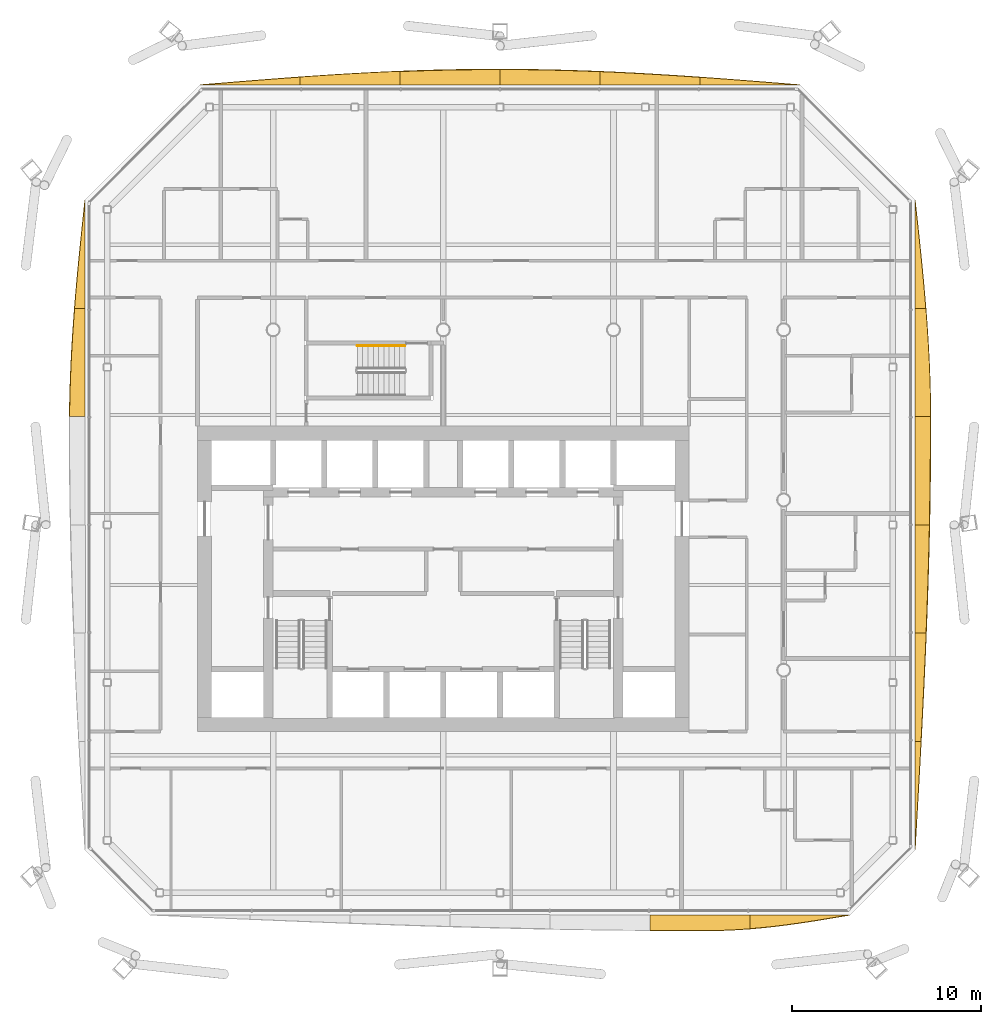
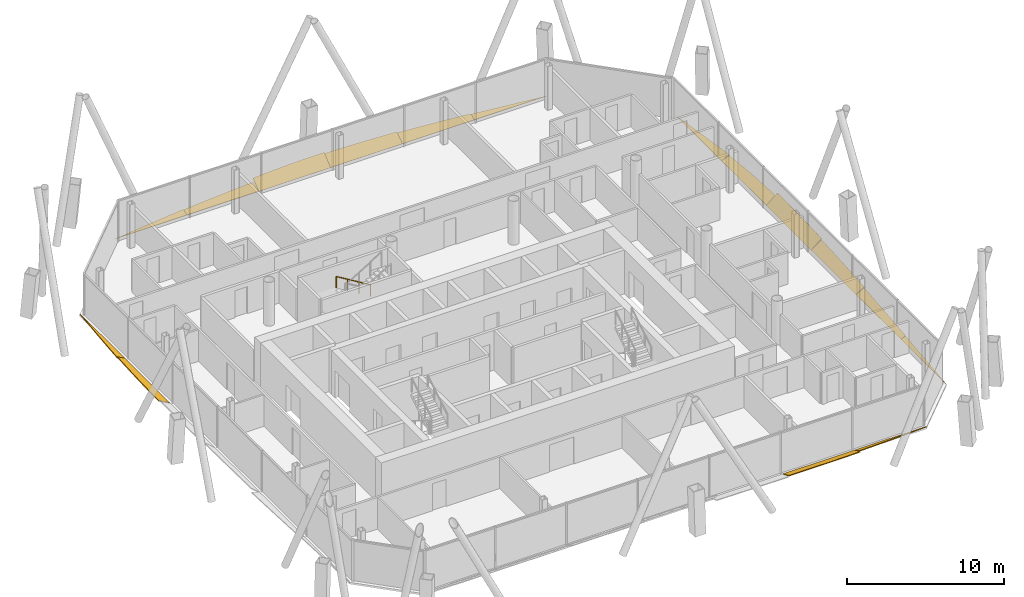
# One storey, part 20 of 20: 16 shading devices, 1 railing.
"""IFC4 building model written with IfcOpenShell, lengths in metres."""

from ifc_helpers import new_model, si_unit, direction, frame, origin, origin_2d, place, context, subcontext, project, spatial, polyline, circle, outline, extrude, material, layer, layer_set, type_object, element, save


model = new_model("IFC4")

# Units and contexts
model_context = context("Model", 3, precision=1e-05, world=origin(), true_north=direction((0.0, 1.0)))
body_context = subcontext(model_context, "Body", "Model", "MODEL_VIEW")
ifc_project = project(units=[si_unit("LENGTHUNIT", "METRE"), si_unit("AREAUNIT", "SQUARE_METRE"), si_unit("VOLUMEUNIT", "CUBIC_METRE"), si_unit("PLANEANGLEUNIT", "RADIAN"), si_unit("MASSUNIT", "GRAM", prefix="KILO")], contexts=[model_context])

# Site, building, storey
site_placement = place(None, origin())
site = spatial("IfcSite", under=ifc_project, at=site_placement, CompositionType="ELEMENT")
building_placement = place(site_placement, origin())
building = spatial("IfcBuilding", under=site, at=building_placement, Name="Tskaro Facet Tower", CompositionType="ELEMENT")
storey_placement = place(building_placement, frame((0.0, 0.0, 152.10009765625)))
storey = spatial("IfcBuildingStorey", under=building, at=storey_placement, Name="L37", CompositionType="ELEMENT", Elevation=152.10009765625)

# Shading devices
ifc_material_1 = material(Name="Bronze anodised aluminium 6063-T6", Category="aluminium")
ifc_layer = layer(ifc_material_1, 0.06005859375, Name="Bronze anodised aluminium 6063-T6")
ifc_layer_set = layer_set([ifc_layer], Name="Bronze anodised aluminium 6063-T6")
shading_device_type = type_object("IfcShadingDeviceType", Name="Bronze sun blade (FN1)", PredefinedType="USERDEFINED", material=ifc_layer_set)
shading_device_1_placement = place(storey_placement, frame((10.9267578125, -21.94873046875, 0.05419921875), z_axis=(1.0308181e-05, 0.422723333152, 0.906258783959), x_axis=(0.999999999947, -4.357508e-06, -9.341879e-06)))
element("IfcShadingDevice", 1, at=shading_device_1_placement, inside=storey, type_object=shading_device_type, Name="Fin blade south 6", ObjectType="FIN", PredefinedType="USERDEFINED", context=body_context, shape_type="SweptSolid", body=[
    extrude(outline(polyline([(0.0, 0.0), (5.284667968469229, 0.0), (5.284667968195512, -0.8079248135615501), (4.624023437648936, -0.857732450693948), (3.9636230465402704, -0.8916995609093232), (3.3029785149894724, -0.9089559725723317), (2.948974609209955, -0.9113600796008379), (2.6423339842262465, -0.9113600796008379), (1.9819335939424185, -0.9102686533795544), (1.3212890622758435, -0.9078645463510484), (0.6606445319791983, -0.904590267687198), (-1.3559388213438565e-09, -0.9001065121548882), (0.0, 0.0)])), origin(), (0.0, 0.0, -1.0), 0.06005859375),
])
shading_device_2_placement = place(storey_placement, frame((16.21142578125, -21.944091796875, 0.0517578125), z_axis=(-2.5323878e-05, 0.500242945986, 0.86588509304), x_axis=(0.999999999679, 1.2668092e-05, 2.1927569e-05)))
element("IfcShadingDevice", 2, at=shading_device_2_placement, inside=storey, type_object=shading_device_type, Name="Fin blade south 7", ObjectType="FIN", PredefinedType="USERDEFINED", context=body_context, shape_type="SweptSolid", body=[
    extrude(outline(polyline([(0.0, 0.0), (5.284667967055475, -8.952575769661419e-21), (4.624023440431198, -0.1295180374775448), (3.9633789064288263, -0.25661211537905815), (3.3029785120948008, -0.37889113565169585), (2.6423339848614136, -0.49429752759599876), (1.9816894526220803, -0.6002852020104114), (1.3210449201339591, -0.6955529110045812), (0.660644529090082, -0.7775874269001399), (-3.1878278626346816e-09, -0.8455102972624567), (0.0, 0.0)])), origin(), (0.0, 0.0, -1.0), 0.06005859375),
])
shading_device_3_placement = place(storey_placement, frame((24.94873046875, -18.49609375, 0.05419921875), z_axis=(-0.423234739348, 3.1539256e-05, 0.90602006292), x_axis=(1.3348509e-05, 0.999999999503, -2.8575199e-05)))
element("IfcShadingDevice", 3, at=shading_device_3_placement, inside=storey, type_object=shading_device_type, Name="Fin blade east 1", ObjectType="FIN", PredefinedType="USERDEFINED", context=body_context, shape_type="SweptSolid", body=[
    extrude(outline(polyline([(0.0, 0.0), (5.726806637776702, -9.701587814328185e-21), (5.72680664347586, -0.353992494780004), (5.010986328957278, -0.3117216730180356), (4.295166011638323, -0.26868393354862796), (3.579345701754277, -0.22499714388247724), (2.863525389069857, -0.1805434365088872), (2.147705073126524, -0.1358685328307633), (1.4318847678770108, -0.09076577526043021), (0.7160644491333046, -0.04532395387486698), (0.0, 0.0)])), origin(), (0.0, 0.0, -1.0), 0.06005859375),
])
shading_device_4_placement = place(storey_placement, frame((24.944091796875, -12.769287109375, 0.0517578125), z_axis=(-0.500224734086, 2.9655856e-05, 0.865895614106), x_axis=(1.4834593e-05, 0.99999999956, -2.5678876e-05)))
element("IfcShadingDevice", 4, at=shading_device_4_placement, inside=storey, type_object=shading_device_type, Name="Fin blade east 2", ObjectType="FIN", PredefinedType="USERDEFINED", context=body_context, shape_type="SweptSolid", body=[
    extrude(outline(polyline([(0.0, 0.0), (5.727050778731615, 0.0), (5.727050783485288, -0.6830760442375575), (5.010986325024948, -0.6490699709904658), (4.2951660105361675, -0.6133069952472441), (3.5793457030157803, -0.575998517304398), (2.8635253899252726, -0.5373887875204756), (2.1477050811556286, -0.49756708101270847), (1.4318847631941378, -0.45623272236735946), (0.7160644531752366, -0.41389778729467136), (-5.68620726524609e-09, -0.37059512585668664), (0.0, 0.0)])), origin(), (0.0, 0.0, -1.0), 0.06005859375),
])
shading_device_5_placement = place(storey_placement, frame((24.939697265625, -7.042236328125, 0.049072265625), z_axis=(-0.573619327332, -1.4001099e-05, 0.819122009908), x_axis=(-8.031301e-06, 0.999999999902, 1.1468609e-05)))
element("IfcShadingDevice", 5, at=shading_device_5_placement, inside=storey, type_object=shading_device_type, Name="Fin blade east 3", ObjectType="FIN", PredefinedType="USERDEFINED", context=body_context, shape_type="SweptSolid", body=[
    extrude(outline(polyline([(0.0, 0.0), (5.726806640063685, -4.8507939071640925e-21), (5.726806640344912, -0.9388766034376053), (5.010986328527838, -0.9192358461819747), (4.294921875811389, -0.8974950033045532), (3.579101560645565, -0.8735140310242397), (2.8632812499660623, -0.8473730359437659), (2.1474609362122092, -0.8189919114604004), (1.4316406249839104, -0.7886507451363443), (0.7158203134812137, -0.756209493190497), (-2.217414938955099e-09, -0.722068117541798), (0.0, 0.0)])), origin(), (0.0, 0.0, -1.0), 0.06005859375),
])
shading_device_6_placement = place(storey_placement, frame((24.935546875, -1.3154296875, 0.0458984375), z_axis=(-0.642796950134, -1.3889402e-05, 0.76603660533), x_axis=(-8.928065e-06, 0.999999999904, 1.0639791e-05)))
element("IfcShadingDevice", 6, at=shading_device_6_placement, inside=storey, type_object=shading_device_type, Name="Fin blade east 4", ObjectType="FIN", PredefinedType="USERDEFINED", context=body_context, shape_type="SweptSolid", body=[
    extrude(outline(polyline([(0.0, 0.0), (5.726806640072605, 0.0), (5.726806641662692, -1.0770043555702182), (5.36035156264704, -1.0782232367401898), (5.010986327887838, -1.0778792832354047), (4.295166014711276, -1.0752845880462927), (3.579101562343834, -1.0699081770124523), (2.863281249855759, -1.0619370707894997), (2.1474609366220765, -1.051371269377435), (1.4316406248224898, -1.0380237521206424), (0.7158203126951964, -1.0224254931795225), (-5.956065848321921e-10, -1.0038885855445054), (0.0, 0.0)])), origin(), (0.0, 0.0, -1.0), 0.06005859375),
])
shading_device_7_placement = place(storey_placement, frame((24.953369140625, 4.411376953125, 0.056396484375), z_axis=(-0.341857777029, 1.0446216e-05, 0.939751701342), x_axis=(3.57112e-06, 0.999999999945, -9.816849e-06)))
element("IfcShadingDevice", 7, at=shading_device_7_placement, inside=storey, type_object=shading_device_type, Name="Fin blade east 5", ObjectType="FIN", PredefinedType="USERDEFINED", context=body_context, shape_type="SweptSolid", body=[
    extrude(outline(polyline([(0.0, 0.0), (5.726806640312536, -4.8507939071640925e-21), (5.726806640432038, -0.6063519833412989), (5.010986327390989, -0.664046162455123), (4.29516601586749, -0.7157122631691719), (3.579345701721135, -0.7609748837193486), (2.86328125064516, -0.799354208423882), (2.1474609373524425, -0.8305582968900247), (1.431640625139524, -0.8541907948073547), (0.7158203131345487, -0.8700222706081492), (-1.0591745989727897e-09, -0.8781361856637572), (0.0, 0.0)])), origin(), (0.0, 0.0, -1.0), 0.06005859375),
])
shading_device_8_placement = place(storey_placement, frame((24.94873046875, 10.13818359375, 0.05419921875), z_axis=(-0.422961377843, -3.94086e-07, 0.906147710284), x_axis=(-1.66683e-07, 1.0, 3.57101e-07)))
element("IfcShadingDevice", 8, at=shading_device_8_placement, inside=storey, type_object=shading_device_type, Name="Fin blade east 6", ObjectType="FIN", PredefinedType="USERDEFINED", context=body_context, shape_type="SweptSolid", body=[
    extrude(outline(polyline([(0.0, 0.0), (5.726806640624556, 0.0), (5.010986328139192, -0.08650332560489557), (4.295166015648036, -0.1724609342179915), (3.5793457031801887, -0.2565601643873575), (2.863281249976982, -0.33837326453438743), (2.1474609374976805, -0.4173398143092258), (1.4316406249778177, -0.4924863451414668), (0.715820312452294, -0.5630459125709797), (2.4978683552334134e-12, -0.6285760616611026), (0.0, 0.0)])), origin(), (0.0, 0.0, -1.0), 0.06005859375),
])
shading_device_9_placement = place(storey_placement, frame((18.864990234375, 21.94873046875, 0.05419921875), z_axis=(-3.668083e-06, -0.423030452267, 0.906115465292), x_axis=(-0.999999999993, 1.551711e-06, -3.323707e-06)))
element("IfcShadingDevice", 9, at=shading_device_9_placement, inside=storey, type_object=shading_device_type, Name="Fin blade north 1", ObjectType="FIN", PredefinedType="USERDEFINED", context=body_context, shape_type="SweptSolid", body=[
    extrude(outline(polyline([(0.0, 0.0), (5.288330078089423, 0.0), (5.288330078137574, -0.45076121988927004), (4.62719726636886, -0.39866745622738364), (3.966308594196197, -0.3448185975553345), (3.3051757811272617, -0.28965708306516275), (2.6440429685985043, -0.2330796338378573), (1.9831542963696893, -0.17573524690348047), (1.3220214840022733, -0.11752064334302116), (0.6611328123136359, -0.05876032167151058), (0.0, 0.0)])), origin(), (0.0, 0.0, -1.0), 0.06005859375),
])
shading_device_10_placement = place(storey_placement, frame((13.57666015625, 21.944091796875, 0.0517578125), z_axis=(-1.4810844e-05, -0.500146354832, 0.865940889166), x_axis=(-0.99999999989, 7.40759e-06, -1.2825316e-05)))
element("IfcShadingDevice", 10, at=shading_device_10_placement, inside=storey, type_object=shading_device_type, Name="Fin blade north 2", ObjectType="FIN", PredefinedType="USERDEFINED", context=body_context, shape_type="SweptSolid", body=[
    extrude(outline(polyline([(0.0, 0.0), (5.288330077544972, 0.0), (5.288330078069472, -0.8201337702804989), (4.62719726516002, -0.7868840200204761), (3.9663085949003767, -0.7504540026056498), (3.3051757811009197, -0.7107544127297768), (2.6440429680036104, -0.6682080730926911), (1.983154296233422, -0.6228149836943928), (1.322021483217721, -0.5749086619284726), (0.661132813337634, -0.524367001751257), (-2.241833115082321e-09, -0.47176773264368344), (0.0, 0.0)])), origin(), (0.0, 0.0, -1.0), 0.06005859375),
])
shading_device_11_placement = place(storey_placement, frame((8.288330078125, 21.939697265625, 0.049072265625), z_axis=(-5.8782e-08, -0.57364605776, 0.819103290444), x_axis=(-1.0, 3.372e-08, -4.8149e-08)))
element("IfcShadingDevice", 11, at=shading_device_11_placement, inside=storey, type_object=shading_device_type, Name="Fin blade north 3", ObjectType="FIN", PredefinedType="USERDEFINED", context=body_context, shape_type="SweptSolid", body=[
    extrude(outline(polyline([(0.0, 0.0), (5.288330078124991, 0.0), (5.288330078127703, -1.0082993023452032), (4.6271972656229545, -1.0047791832174178), (3.966308593753735, -0.9972588679584373), (3.3051757812500564, -0.985678430486064), (2.6440429687486735, -0.9698978204932274), (1.9831542968745868, -0.9499170379799272), (1.3220214843742735, -0.9260761096425026), (0.6611328124977338, -0.8983750354809537), (3.200009923809213e-12, -0.8670137918845489), (0.0, 0.0)])), origin(), (0.0, 0.0, -1.0), 0.06005859375),
])
shading_device_12_placement = place(storey_placement, frame((3.0, 21.935546875, 0.0458984375), z_axis=(8.650053e-06, -0.64283786395, 0.766002271927), x_axis=(-0.999999999963, -5.560582e-06, 6.625961e-06)))
element("IfcShadingDevice", 12, at=shading_device_12_placement, inside=storey, type_object=shading_device_type, Name="Fin blade north 4", ObjectType="FIN", PredefinedType="USERDEFINED", context=body_context, shape_type="SweptSolid", body=[
    extrude(outline(polyline([(0.0, 0.0), (5.288330077927155, 0.0), (5.28833007871506, -0.9406206283215253), (4.627197265529998, -0.9733799765425224), (3.966308592823931, -1.0019817939922455), (3.30517578070444, -1.026239068397268), (2.644287110161405, -1.0458078446462786), (1.9831542956120505, -1.0609052044482468), (1.3220214849893912, -1.0712839966586607), (0.6611328129679577, -1.0770043601486052), (0.19042968740831018, -1.0782232377559648), (-8.456555540037775e-11, -1.0782232377559648), (0.0, 0.0)])), origin(), (0.0, 0.0, -1.0), 0.06005859375),
])
shading_device_13_placement = place(storey_placement, frame((-2.288330078125, 21.953369140625, 0.056396484375), z_axis=(-1.1060558e-05, -0.341853707279, 0.939753181797), x_axis=(-0.999999999939, 3.781093e-06, -1.0394195e-05)))
element("IfcShadingDevice", 13, at=shading_device_13_placement, inside=storey, type_object=shading_device_type, Name="Fin blade north 5", ObjectType="FIN", PredefinedType="USERDEFINED", context=body_context, shape_type="SweptSolid", body=[
    extrude(outline(polyline([(0.0, 0.0), (5.288330077801524, 2.2396949060638916e-21), (5.288330078841729, -0.4444703857649598), (4.627197265754022, -0.4935917864422448), (3.9663085944424057, -0.5408567824821078), (3.3051757808875566, -0.5855770780970582), (2.64428710887709, -0.6276692129093369), (1.9831542962379172, -0.6669037549897804), (1.3220214845181413, -0.7035101362675522), (0.6611328115733927, -0.7368000609551617), (-3.8553542683109383e-10, -0.7669195006040133), (0.0, 0.0)])), origin(), (0.0, 0.0, -1.0), 0.06005859375),
])
shading_device_14_placement = place(storey_placement, frame((-7.57666015625, 21.94873046875, 0.05419921875), z_axis=(1.4839913e-05, -0.423034217164, 0.906113707483), x_axis=(-0.99999999989, -6.277791e-06, 1.3446648e-05)))
element("IfcShadingDevice", 14, at=shading_device_14_placement, inside=storey, type_object=shading_device_type, Name="Fin blade north 6", ObjectType="FIN", PredefinedType="USERDEFINED", context=body_context, shape_type="SweptSolid", body=[
    extrude(outline(polyline([(0.0, 0.0), (5.288330077542694, 0.0), (4.627197266500484, -0.060397476392970356), (3.9663085943330363, -0.1204704537808643), (3.3051757813230704, -0.1799977129967915), (2.644287110253196, -0.23875803487386169), (1.9831542948403842, -0.2963236405688123), (1.3220214838080182, -0.35267987059112527), (0.6611328112153246, -0.40762016526442835), (-1.1223146821543073e-09, -0.460702086254941), (0.0, 0.0)])), origin(), (0.0, 0.0, -1.0), 0.06005859375),
])
shading_device_15_placement = place(storey_placement, frame((-18.94873046875, 15.864990234375, 0.05419921875), z_axis=(0.422908962639, -1.6925613e-05, 0.906172174056), x_axis=(-7.157993e-06, -0.999999999857, -1.533752e-05)))
element("IfcShadingDevice", 15, at=shading_device_15_placement, inside=storey, type_object=shading_device_type, Name="Fin blade west 1", ObjectType="FIN", PredefinedType="USERDEFINED", context=body_context, shape_type="SweptSolid", body=[
    extrude(outline(polyline([(0.0, 0.0), (5.726806639804702, 0.0), (5.726806641321284, -0.6115408757080816), (5.010986328895439, -0.5468809329280739), (4.295166016717218, -0.4776340275839177), (3.579345704537222, -0.40434587581601095), (2.8635253883615444, -0.3276654430232235), (2.1474609365524007, -0.24815318026997357), (1.4316406226213014, -0.16656130221360257), (0.715820311185952, -0.08355350917700036), (0.0, 0.0)])), origin(), (0.0, 0.0, -1.0), 0.06005859375),
])
shading_device_16_placement = place(storey_placement, frame((-18.944091796875, 10.13818359375, 0.0517578125), z_axis=(0.500150138215, -1.476578e-06, 0.86593870409), x_axis=(-7.38511e-07, -0.999999999999, -1.278626e-06)))
element("IfcShadingDevice", 16, at=shading_device_16_placement, inside=storey, type_object=shading_device_type, Name="Fin blade west 2", ObjectType="FIN", PredefinedType="USERDEFINED", context=body_context, shape_type="SweptSolid", body=[
    extrude(outline(polyline([(0.0, 0.0), (5.726806640618757, 0.0), (5.726806640662205, -0.9489847526029438), (5.010986328165743, -0.9362964847128794), (4.295166015615502, -0.9157350024854128), (3.57934570301148, -0.887300305920544), (2.8635253907142793, -0.85141521665113), (2.14746093747457, -0.8083239486118463), (1.431640624902954, -0.7584493234355498), (0.7158203125547311, -0.7020027519386693), (3.430905010691699e-11, -0.6399847874725033), (0.0, 0.0)])), origin(), (0.0, 0.0, -1.0), 0.06005859375),
])

# Railing
ifc_material_2 = material(Name="Stainless steel", Category="steel")
railing_type = type_object("IfcRailingType", Name="RL-HANDRAIL-900", PredefinedType="HANDRAIL", material=ifc_material_2)
railing_placement = place(storey_placement, frame((-2.02490234375, 8.14990234375, 0.169921875)))
element("IfcRailing", 17, at=railing_placement, inside=storey, type_object=railing_type, Name="L37 ST-3 stair handrail 1", PredefinedType="HANDRAIL", context=body_context, shape_type="SweptSolid", body=[
    extrude(circle(Radius=0.02392578125, at=origin_2d()), frame((0.0, 0.0, 0.8759765625), z_axis=(-0.85478489116, 0.0, 0.518982456201), x_axis=(0.0, -1.0, 0.0)), (0.0, 0.0, 1.0), 2.9482421875),
    extrude(circle(Radius=0.02099609375, at=origin_2d()), origin(), (0.0, 0.0, 1.0), 0.851806640625),
    extrude(circle(Radius=0.02099609375, at=origin_2d()), frame((-0.840087890625, 0.0, 0.510009765625)), (0.0, 0.0, 1.0), 0.851806640625),
    extrude(circle(Radius=0.02099609375, at=origin_2d()), frame((-1.679931640625, 0.0, 1.02001953125)), (0.0, 0.0, 1.0), 0.851806640625),
    extrude(circle(Radius=0.02099609375, at=origin_2d()), frame((-2.52001953125, 0.0, 1.530029296875)), (0.0, 0.0, 1.0), 0.851806640625),
])

save(model, "model.ifc")
